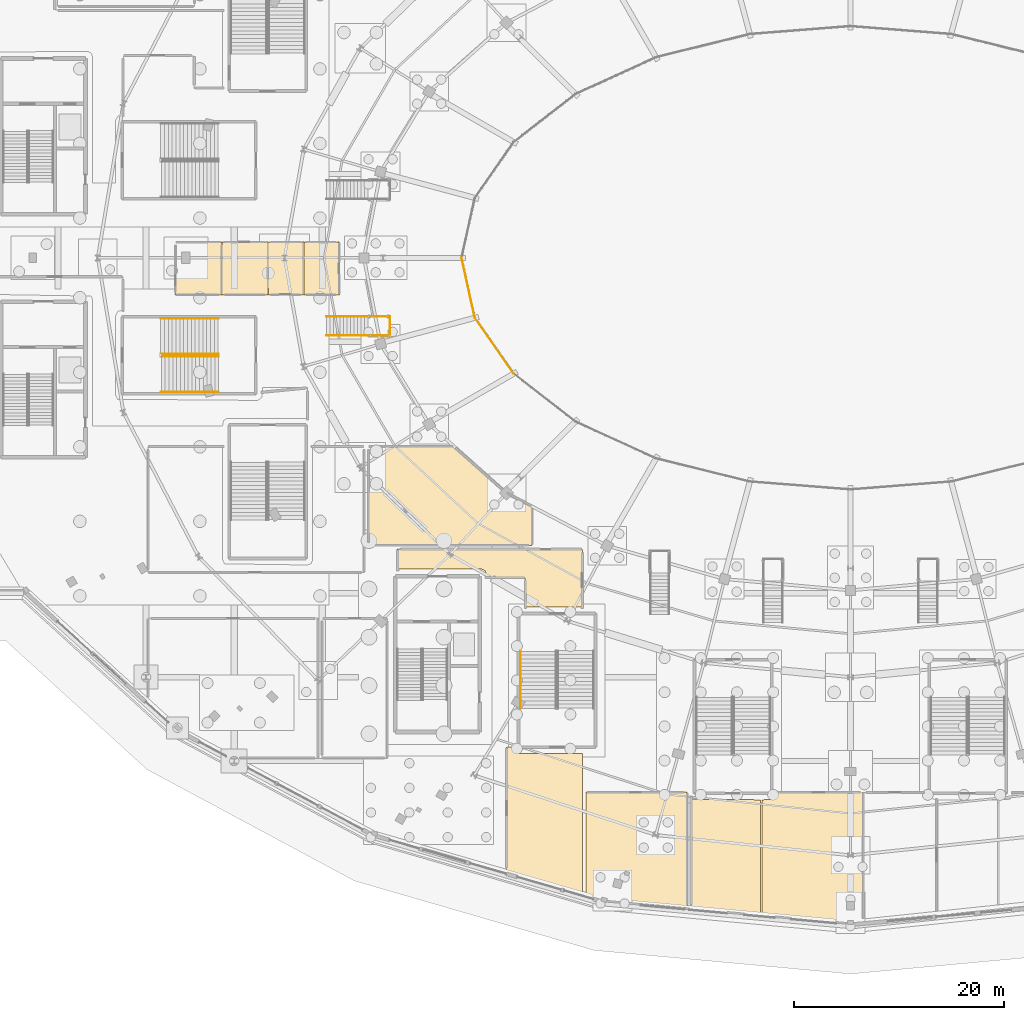
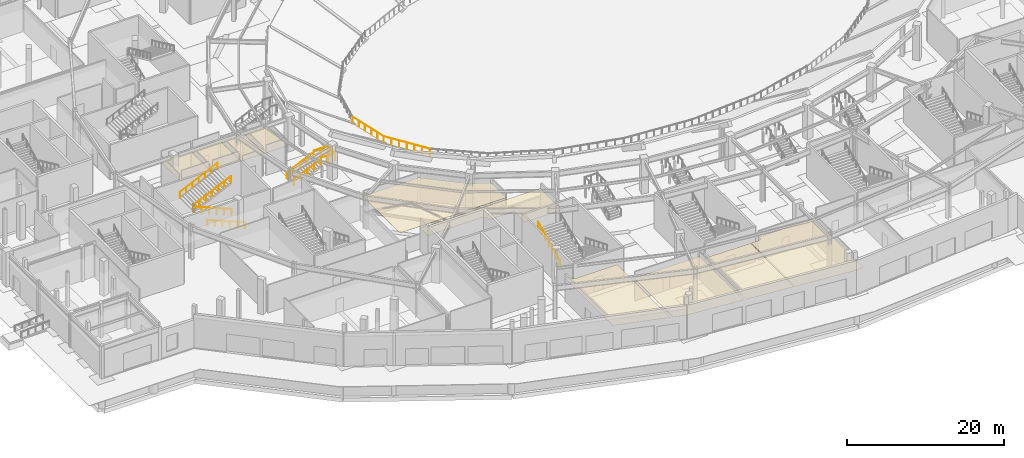
# One storey, part 71 of 93: 12 railings, 10 coverings.
"""IFC4 building model written with IfcOpenShell, lengths in metres."""

from ifc_helpers import new_model, si_unit, direction, frame, origin, origin_2d, place, context, subcontext, project, spatial, polyline, circle, outline, extrude, material, layer, layer_set, type_object, element, save


model = new_model("IFC4")

# Units and contexts
model_context = context("Model", 3, precision=1e-05, world=origin(), true_north=direction((0.0, 1.0)))
body_context = subcontext(model_context, "Body", "Model", "MODEL_VIEW")
ifc_project = project(units=[si_unit("LENGTHUNIT", "METRE"), si_unit("AREAUNIT", "SQUARE_METRE"), si_unit("VOLUMEUNIT", "CUBIC_METRE"), si_unit("PLANEANGLEUNIT", "RADIAN"), si_unit("MASSUNIT", "GRAM", prefix="KILO")], contexts=[model_context])

# Site, building, storey
site_placement = place(None, origin())
site = spatial("IfcSite", under=ifc_project, at=site_placement, CompositionType="ELEMENT")
building_placement = place(site_placement, origin())
building = spatial("IfcBuilding", under=site, at=building_placement, Name="Kalgoora Escarpment Arena", CompositionType="ELEMENT")
storey_placement = place(building_placement, origin())
storey = spatial("IfcBuildingStorey", under=building, at=storey_placement, Name="L00", CompositionType="ELEMENT", Elevation=0.0)

# Coverings
ifc_material_1 = material(Name="Perforated acoustic mineral-fibre ceiling tile")
ifc_layer = layer(ifc_material_1, 0.02490234375)
ifc_layer_set = layer_set([ifc_layer], Name="COV-CEIL-ACOUSTIC")
covering_type = type_object("IfcCoveringType", Name="COV-CEIL-ACOUSTIC", PredefinedType="CEILING", material=ifc_layer_set)
covering_1_placement = place(storey_placement, frame((0.0, 0.0, 3.47998046875)))
element("IfcCovering", 1, at=covering_1_placement, inside=storey, type_object=covering_type, Name="L00 Male WC 1 acoustic suspended ceiling", PredefinedType="CEILING", context=body_context, shape_type="SweptSolid", body=[
    extrude(outline(polyline([(27.960693359375, 65.5078125), (32.430908203125, 65.525390625), (32.42529296875, 60.468994140625), (27.968994140625, 60.474609375), (27.960693359375, 65.5078125)])), origin(), (0.0, 0.0, 1.0), 0.02490234375),
])
covering_2_placement = place(storey_placement, frame((0.0, 0.0, 3.47998046875)))
element("IfcCovering", 2, at=covering_2_placement, inside=storey, type_object=covering_type, Name="L00 Female WC 1 acoustic suspended ceiling", PredefinedType="CEILING", context=body_context, shape_type="SweptSolid", body=[
    extrude(outline(polyline([(36.807861328125, 65.539306640625), (36.830810546875, 60.474609375), (32.45458984375, 60.468994140625), (32.44921875, 65.525390625), (36.807861328125, 65.539306640625)])), origin(), (0.0, 0.0, 1.0), 0.02490234375),
])
covering_3_placement = place(storey_placement, frame((0.0, 0.0, 3.47998046875)))
element("IfcCovering", 3, at=covering_3_placement, inside=storey, type_object=covering_type, Name="L00 Accessible WC 1 acoustic suspended ceiling", PredefinedType="CEILING", context=body_context, shape_type="SweptSolid", body=[
    extrude(outline(polyline([(40.207763671875, 65.539306640625), (40.2333984375, 60.477783203125), (36.85791015625, 60.466796875), (36.8466796875, 65.522216796875), (40.207763671875, 65.539306640625)])), origin(), (0.0, 0.0, 1.0), 0.02490234375),
])
covering_4_placement = place(storey_placement, frame((0.0, 0.0, 3.47998046875)))
element("IfcCovering", 4, at=covering_4_placement, inside=storey, type_object=covering_type, Name="L00 Staff WC 1 acoustic suspended ceiling", PredefinedType="CEILING", context=body_context, shape_type="SweptSolid", body=[
    extrude(outline(polyline([(43.60791015625, 65.539306640625), (43.63330078125, 60.477783203125), (40.2578125, 60.466796875), (40.24658203125, 65.522216796875), (43.60791015625, 65.539306640625)])), origin(), (0.0, 0.0, 1.0), 0.02490234375),
])
covering_5_placement = place(storey_placement, frame((0.0, 0.0, 3.47998046875)))
element("IfcCovering", 5, at=covering_5_placement, inside=storey, type_object=covering_type, Name="L00 Medical Room acoustic suspended ceiling", PredefinedType="CEILING", context=body_context, shape_type="SweptSolid", body=[
    extrude(outline(polyline([(76.807861328125, 13.039306640625), (76.83251953125, 1.834716796875), (68.8330078125, 2.5712890625), (67.1611328125, 3.055908203125), (67.171630859375, 13.0283203125), (76.807861328125, 13.039306640625)])), origin(), (0.0, 0.0, 1.0), 0.02490234375),
])
covering_6_placement = place(storey_placement, frame((0.0, 0.0, 3.47998046875)))
element("IfcCovering", 6, at=covering_6_placement, inside=storey, type_object=covering_type, Name="L00 First Aid Trauma Suite acoustic suspended ceiling", PredefinedType="CEILING", context=body_context, shape_type="SweptSolid", body=[
    extrude(outline(polyline([(93.607666015625, 13.039306640625), (93.63623046875, 0.5146484375), (92.39990234375, 0.40087890625), (83.963623046875, 1.177734375), (83.9599609375, 12.300048828125), (85.19140625, 12.338134765625), (85.4619140625, 12.608642578125), (85.5, 13.0146484375), (93.607666015625, 13.039306640625)])), origin(), (0.0, 0.0, 1.0), 0.02490234375),
])
covering_7_placement = place(storey_placement, frame((0.0, 0.0, 3.47998046875)))
element("IfcCovering", 7, at=covering_7_placement, inside=storey, type_object=covering_type, Name="L00 Cold Beverage Cellar acoustic suspended ceiling", PredefinedType="CEILING", context=body_context, shape_type="SweptSolid", body=[
    extrude(outline(polyline([(46.36083984375, 46.0078125), (54.577392578125, 46.034912109375), (59.4970703125, 41.693359375), (62.03076171875, 40.372314453125), (62.033203125, 36.577880859375), (46.377685546875, 36.566650390625), (46.36083984375, 46.0078125)])), origin(), (0.0, 0.0, 1.0), 0.02490234375),
])
covering_8_placement = place(storey_placement, frame((0.0, 0.0, 3.47998046875)))
element("IfcCovering", 8, at=covering_8_placement, inside=storey, type_object=covering_type, Name="L00 South-West Protected Exit Passageway acoustic suspended ceiling", PredefinedType="CEILING", context=body_context, shape_type="SweptSolid", body=[
    extrude(outline(polyline([(59.560791015625, 17.3076171875), (60.10009765625, 17.34765625), (60.184326171875, 16.922119140625), (60.551025390625, 16.702392578125), (66.840087890625, 16.699951171875), (66.82763671875, 3.15234375), (59.561279296875, 5.258056640625), (59.560791015625, 17.3076171875)])), origin(), (0.0, 0.0, 1.0), 0.02490234375),
])
covering_9_placement = place(storey_placement, frame((0.0, 0.0, 3.47998046875)))
element("IfcCovering", 9, at=covering_9_placement, inside=storey, type_object=covering_type, Name="L00 South-West Protected Exit Passageway 2 acoustic suspended ceiling", PredefinedType="CEILING", context=body_context, shape_type="SweptSolid", body=[
    extrude(outline(polyline([(57.699951171875, 33.4599609375), (57.58642578125, 34.1171875), (57.2490234375, 34.297607421875), (49.159912109375, 34.300048828125), (49.16162109375, 36.211669921875), (66.8115234375, 36.23828125), (66.840087890625, 30.699951171875), (61.360107421875, 30.699951171875), (61.360107421875, 33.4599609375), (57.699951171875, 33.4599609375)])), origin(), (0.0, 0.0, 1.0), 0.02490234375),
])
covering_10_placement = place(storey_placement, frame((0.0, 0.0, 3.47998046875)))
element("IfcCovering", 10, at=covering_10_placement, inside=storey, type_object=covering_type, Name="L00 South-Central Protected Exit Passageway acoustic suspended ceiling", PredefinedType="CEILING", context=body_context, shape_type="SweptSolid", body=[
    extrude(outline(polyline([(83.83984375, 1.208984375), (77.163818359375, 1.80419921875), (77.159912109375, 12.361572265625), (83.840087890625, 12.300048828125), (83.83984375, 1.208984375)])), origin(), (0.0, 0.0, 1.0), 0.02490234375),
])

# Railings
ifc_material_2 = material(Name="Galvanised & powdercoated tubular steel", Category="steel")
railing_type_1 = type_object("IfcRailingType", Name="RAL-GUARD-1120", PredefinedType="GUARDRAIL", material=ifc_material_2)
for number, where, name in (
    (11, (46.360107421875, 56.60009765625, 1.949951171875), "Vomitory VST09 landing guard L"),
    (12, (46.360107421875, 58.39990234375, 1.949951171875), "Vomitory VST09 landing guard R"),
):
    element("IfcRailing", number, at=place(storey_placement, frame(where)), inside=storey, type_object=railing_type_1, Name=name, PredefinedType="GUARDRAIL", context=body_context, shape_type="SweptSolid", body=[
        extrude(circle(Radius=0.02392578125, at=origin_2d()), frame((0.0, 0.0, 1.09619140625), z_axis=(1.0, 0.0, 0.0), x_axis=(0.0, 1.0, 0.0)), (0.0, 0.0, 1.0), 2.099853515625),
        extrude(circle(Radius=0.02099609375, at=origin_2d()), origin(), (0.0, 0.0, 1.0), 1.072021484375),
        extrude(circle(Radius=0.02099609375, at=origin_2d()), frame((1.0498046875, 0.0, 0.0)), (0.0, 0.0, 1.0), 1.072021484375),
        extrude(circle(Radius=0.02099609375, at=origin_2d()), frame((2.099853515625, 0.0, 0.0)), (0.0, 0.0, 1.0), 1.072021484375),
    ])
railing_1_placement = place(storey_placement, frame((48.4599609375, 56.580078125, 1.949951171875)))
element("IfcRailing", 13, at=railing_1_placement, inside=storey, type_object=railing_type_1, Name="Vomitory VST09 landing end guard", PredefinedType="GUARDRAIL", context=body_context, shape_type="SweptSolid", body=[
    extrude(circle(Radius=0.02392578125, at=origin_2d()), frame((0.0, 0.0, 1.09619140625), z_axis=(0.0, 1.0, 0.0), x_axis=(-1.0, 0.0, 0.0)), (0.0, 0.0, 1.0), 1.83984375),
    extrude(circle(Radius=0.02099609375, at=origin_2d()), origin(), (0.0, 0.0, 1.0), 1.072021484375),
    extrude(circle(Radius=0.02099609375, at=origin_2d()), frame((0.0, 0.919921875, 0.0)), (0.0, 0.0, 1.0), 1.072021484375),
    extrude(circle(Radius=0.02099609375, at=origin_2d()), frame((0.0, 1.83984375, 0.0)), (0.0, 0.0, 1.0), 1.072021484375),
])
railing_2_placement = place(storey_placement, frame((55.300048828125, 64.0, 0.679931640625)))
element("IfcRailing", 14, at=railing_2_placement, inside=storey, type_object=railing_type_1, Name="Lower tier front sightline guard 13", PredefinedType="GUARDRAIL", context=body_context, shape_type="SweptSolid", body=[
    extrude(circle(Radius=0.02392578125, at=origin_2d()), frame((0.0, 0.0, 1.09619140625), z_axis=(0.21580063573, -0.97643744583, 0.0), x_axis=(0.97643744583, 0.21580063573, 0.0)), (0.0, 0.0, 1.0), 5.85791015625),
    extrude(circle(Radius=0.02099609375, at=origin_2d()), origin(), (0.0, 0.0, 1.0), 1.072021484375),
    extrude(circle(Radius=0.02099609375, at=origin_2d()), frame((0.2529296875, -1.14404296875, 0.0)), (0.0, 0.0, 1.0), 1.072021484375),
    extrude(circle(Radius=0.02099609375, at=origin_2d()), frame((0.505615234375, -2.2880859375, 0.0)), (0.0, 0.0, 1.0), 1.072021484375),
    extrude(circle(Radius=0.02099609375, at=origin_2d()), frame((0.758544921875, -3.431884765625, 0.0)), (0.0, 0.0, 1.0), 1.072021484375),
    extrude(circle(Radius=0.02099609375, at=origin_2d()), frame((1.01123046875, -4.575927734375, 0.0)), (0.0, 0.0, 1.0), 1.072021484375),
    extrude(circle(Radius=0.02099609375, at=origin_2d()), frame((1.26416015625, -5.719970703125, 0.0)), (0.0, 0.0, 1.0), 1.072021484375),
])
railing_3_placement = place(storey_placement, frame((56.564208984375, 58.280029296875, 0.679931640625)))
element("IfcRailing", 15, at=railing_3_placement, inside=storey, type_object=railing_type_1, Name="Lower tier front sightline guard 14", PredefinedType="GUARDRAIL", context=body_context, shape_type="SweptSolid", body=[
    extrude(circle(Radius=0.02392578125, at=origin_2d()), frame((0.0, 0.0, 1.09619140625), z_axis=(0.570900302793, -0.821019393359, 0.0), x_axis=(0.821019393359, 0.570900302793, 0.0)), (0.0, 0.0, 1.0), 6.491943359375),
    extrude(circle(Radius=0.02099609375, at=origin_2d()), origin(), (0.0, 0.0, 1.0), 1.072021484375),
    extrude(circle(Radius=0.02099609375, at=origin_2d()), frame((0.61767578125, -0.888427734375, 0.0)), (0.0, 0.0, 1.0), 1.072021484375),
    extrude(circle(Radius=0.02099609375, at=origin_2d()), frame((1.2353515625, -1.776611328125, 0.0)), (0.0, 0.0, 1.0), 1.072021484375),
    extrude(circle(Radius=0.02099609375, at=origin_2d()), frame((1.85302734375, -2.6650390625, 0.0)), (0.0, 0.0, 1.0), 1.072021484375),
    extrude(circle(Radius=0.02099609375, at=origin_2d()), frame((2.470947265625, -3.553466796875, 0.0)), (0.0, 0.0, 1.0), 1.072021484375),
    extrude(circle(Radius=0.02099609375, at=origin_2d()), frame((3.088623046875, -4.441650390625, 0.0)), (0.0, 0.0, 1.0), 1.072021484375),
    extrude(circle(Radius=0.02099609375, at=origin_2d()), frame((3.706298828125, -5.330078125, 0.0)), (0.0, 0.0, 1.0), 1.072021484375),
])
ifc_material_3 = material(Name="Brushed stainless steel 316 handrail", Category="steel")
railing_type_2 = type_object("IfcRailingType", Name="RAL-HAND-920", PredefinedType="HANDRAIL", material=ifc_material_3)
railing_4_placement = place(storey_placement, frame((60.89990234375, 21.0048828125, 2.828857421875)))
element("IfcRailing", 16, at=railing_4_placement, inside=storey, type_object=railing_type_2, Name="ST13 L00 pitched stair handrail F2R", PredefinedType="HANDRAIL", context=body_context, shape_type="SweptSolid", body=[
    extrude(circle(Radius=0.02392578125, at=origin_2d()), frame((0.0, 0.0, 0.89599609375), z_axis=(0.0, 0.908559891483, 0.417754621265), x_axis=(-1.0, 0.0, 0.0)), (0.0, 0.0, 1.0), 6.05908203125),
    extrude(circle(Radius=0.02099609375, at=origin_2d()), origin(), (0.0, 0.0, 1.0), 0.871826171875),
    extrude(circle(Radius=0.02099609375, at=origin_2d()), frame((0.0, 0.91748046875, 0.421875)), (0.0, 0.0, 1.0), 0.871826171875),
    extrude(circle(Radius=0.02099609375, at=origin_2d()), frame((0.0, 1.8349609375, 0.84375)), (0.0, 0.0, 1.0), 0.871826171875),
    extrude(circle(Radius=0.02099609375, at=origin_2d()), frame((0.0, 2.75244140625, 1.265625)), (0.0, 0.0, 1.0), 0.871826171875),
    extrude(circle(Radius=0.02099609375, at=origin_2d()), frame((0.0, 3.670166015625, 1.6875)), (0.0, 0.0, 1.0), 0.871826171875),
    extrude(circle(Radius=0.02099609375, at=origin_2d()), frame((0.0, 4.587646484375, 2.109375)), (0.0, 0.0, 1.0), 0.871826171875),
    extrude(circle(Radius=0.02099609375, at=origin_2d()), frame((0.0, 5.505126953125, 2.53125)), (0.0, 0.0, 1.0), 0.871826171875),
])
for number, where, name in (
    (17, (32.110107421875, 51.199951171875, 0.388916015625), "ST18 L00 pitched stair handrail F1L"),
    (18, (32.110107421875, 54.590087890625, 0.388916015625), "ST18 L00 pitched stair handrail F1R"),
):
    element("IfcRailing", number, at=place(storey_placement, frame(where)), inside=storey, type_object=railing_type_2, Name=name, PredefinedType="HANDRAIL", context=body_context, shape_type="SweptSolid", body=[
        extrude(circle(Radius=0.02392578125, at=origin_2d()), frame((0.0, 0.0, 0.89599609375), z_axis=(-0.924430832969, 0.0, 0.381349754236), x_axis=(0.0, -1.0, 0.0)), (0.0, 0.0, 1.0), 5.955078125),
        extrude(circle(Radius=0.02099609375, at=origin_2d()), origin(), (0.0, 0.0, 1.0), 0.871826171875),
        extrude(circle(Radius=0.02099609375, at=origin_2d()), frame((-1.10107421875, 0.0, 0.4541015625)), (0.0, 0.0, 1.0), 0.871826171875),
        extrude(circle(Radius=0.02099609375, at=origin_2d()), frame((-2.2021484375, 0.0, 0.908447265625)), (0.0, 0.0, 1.0), 0.871826171875),
        extrude(circle(Radius=0.02099609375, at=origin_2d()), frame((-3.302978515625, 0.0, 1.362548828125)), (0.0, 0.0, 1.0), 0.871826171875),
        extrude(circle(Radius=0.02099609375, at=origin_2d()), frame((-4.404052734375, 0.0, 1.81689453125)), (0.0, 0.0, 1.0), 0.871826171875),
        extrude(circle(Radius=0.02099609375, at=origin_2d()), frame((-5.505126953125, 0.0, 2.27099609375)), (0.0, 0.0, 1.0), 0.871826171875),
    ])
for number, where, name in (
    (19, (26.60498046875, 54.81005859375, 2.828857421875), "ST18 L00 pitched stair handrail F2L"),
    (20, (26.60498046875, 58.199951171875, 2.828857421875), "ST18 L00 pitched stair handrail F2R"),
):
    element("IfcRailing", number, at=place(storey_placement, frame(where)), inside=storey, type_object=railing_type_2, Name=name, PredefinedType="HANDRAIL", context=body_context, shape_type="SweptSolid", body=[
        extrude(circle(Radius=0.02392578125, at=origin_2d()), frame((0.0, 0.0, 0.89599609375), z_axis=(0.908559891483, 0.0, 0.417754621265), x_axis=(0.0, 1.0, 0.0)), (0.0, 0.0, 1.0), 6.05908203125),
        extrude(circle(Radius=0.02099609375, at=origin_2d()), origin(), (0.0, 0.0, 1.0), 0.871826171875),
        extrude(circle(Radius=0.02099609375, at=origin_2d()), frame((0.91748046875, 0.0, 0.421875)), (0.0, 0.0, 1.0), 0.871826171875),
        extrude(circle(Radius=0.02099609375, at=origin_2d()), frame((1.8349609375, 0.0, 0.84375)), (0.0, 0.0, 1.0), 0.871826171875),
        extrude(circle(Radius=0.02099609375, at=origin_2d()), frame((2.75244140625, 0.0, 1.265625)), (0.0, 0.0, 1.0), 0.871826171875),
        extrude(circle(Radius=0.02099609375, at=origin_2d()), frame((3.670166015625, 0.0, 1.6875)), (0.0, 0.0, 1.0), 0.871826171875),
        extrude(circle(Radius=0.02099609375, at=origin_2d()), frame((4.587646484375, 0.0, 2.109375)), (0.0, 0.0, 1.0), 0.871826171875),
        extrude(circle(Radius=0.02099609375, at=origin_2d()), frame((5.505126953125, 0.0, 2.53125)), (0.0, 0.0, 1.0), 0.871826171875),
    ])
for number, where, name in (
    (21, (42.39990234375, 56.60009765625, 0.14990234375), "Vomitory VST09 handrail L"),
    (22, (42.39990234375, 58.39990234375, 0.14990234375), "Vomitory VST09 handrail R"),
):
    element("IfcRailing", number, at=place(storey_placement, frame(where)), inside=storey, type_object=railing_type_2, Name=name, PredefinedType="HANDRAIL", context=body_context, shape_type="SweptSolid", body=[
        extrude(circle(Radius=0.02392578125, at=origin_2d()), frame((0.0, 0.0, 0.89599609375), z_axis=(0.910370321461, 0.0, 0.413794487401), x_axis=(0.0, 1.0, 0.0)), (0.0, 0.0, 1.0), 4.35009765625),
        extrude(circle(Radius=0.02099609375, at=origin_2d()), origin(), (0.0, 0.0, 1.0), 0.871826171875),
        extrude(circle(Radius=0.02099609375, at=origin_2d()), frame((0.989990234375, 0.0, 0.449951171875)), (0.0, 0.0, 1.0), 0.871826171875),
        extrude(circle(Radius=0.02099609375, at=origin_2d()), frame((1.97998046875, 0.0, 0.89990234375)), (0.0, 0.0, 1.0), 0.871826171875),
        extrude(circle(Radius=0.02099609375, at=origin_2d()), frame((2.97021484375, 0.0, 1.35009765625)), (0.0, 0.0, 1.0), 0.871826171875),
        extrude(circle(Radius=0.02099609375, at=origin_2d()), frame((3.960205078125, 0.0, 1.800048828125)), (0.0, 0.0, 1.0), 0.871826171875),
    ])

save(model, "model.ifc")
